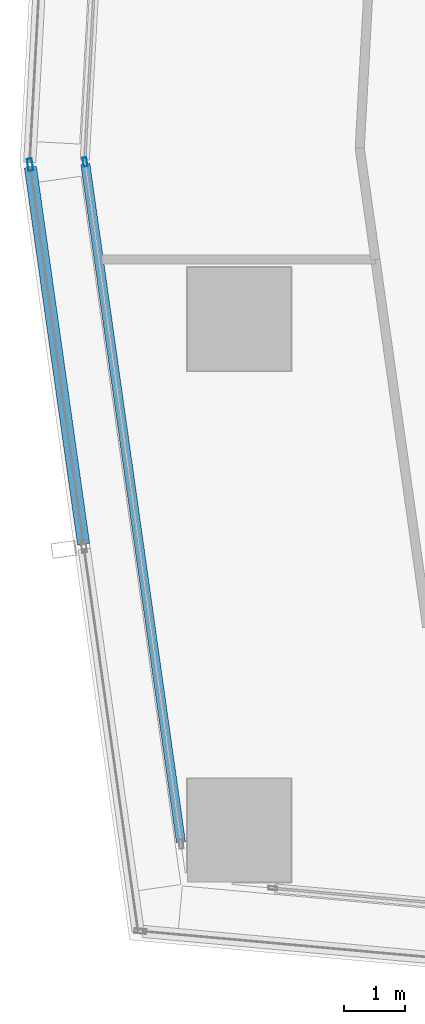
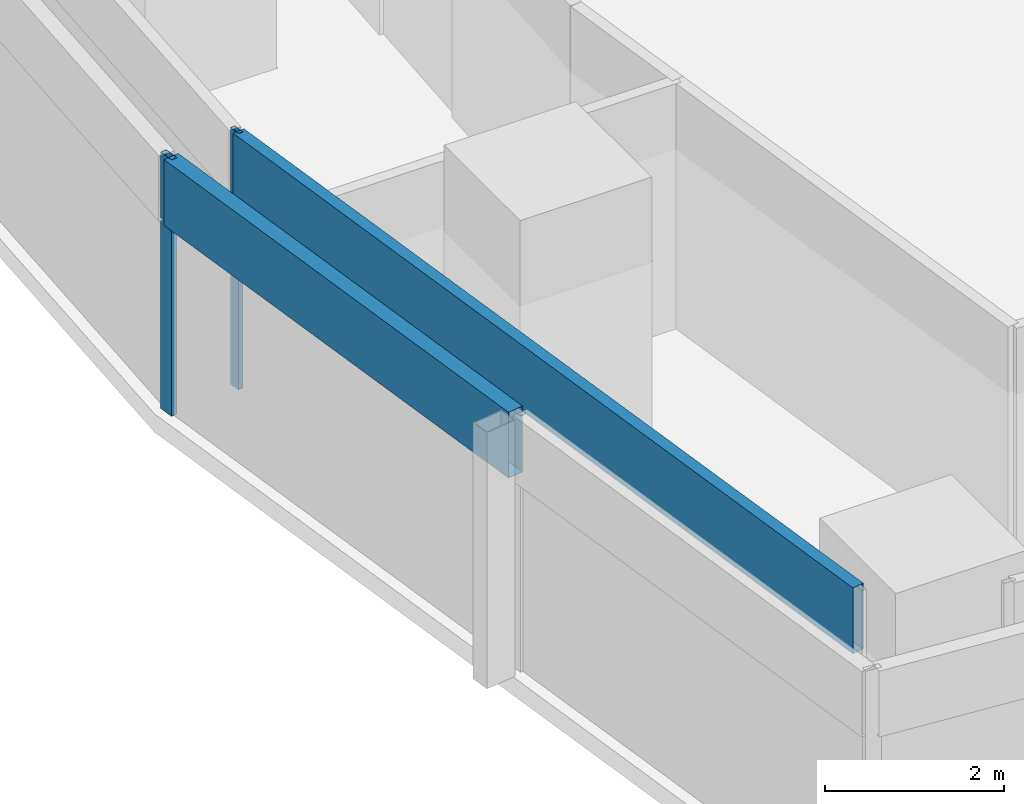
# One storey, part 4 of 40: 4 members, 2 elements without a shape of their own.
"""IFC4 building model written with IfcOpenShell, lengths in metres."""

from ifc_helpers import new_model, si_unit, direction, frame, origin, origin_2d, place, context, subcontext, project, spatial, hollow_rectangle, extrude, material, material_profile, profile_set, type_object, element, aggregate, save


model = new_model("IFC4")

# Units and contexts
model_context = context("Model", 3, precision=1e-05, world=origin(), true_north=direction((0.0, 1.0)))
body_context = subcontext(model_context, "Body", "Model", "MODEL_VIEW")
ifc_project = project(units=[si_unit("LENGTHUNIT", "METRE"), si_unit("AREAUNIT", "SQUARE_METRE"), si_unit("VOLUMEUNIT", "CUBIC_METRE"), si_unit("PLANEANGLEUNIT", "RADIAN"), si_unit("MASSUNIT", "GRAM", prefix="KILO")], contexts=[model_context])

# Site, building, storey
site_placement = place(None, origin())
site = spatial("IfcSite", under=ifc_project, at=site_placement, CompositionType="ELEMENT")
building_placement = place(site_placement, origin())
building = spatial("IfcBuilding", under=site, at=building_placement, Name="Rekha Terrace Tower", CompositionType="ELEMENT")
storey_placement = place(building_placement, frame((0.0, 0.0, 110.300048828125)))
storey = spatial("IfcBuildingStorey", under=building, at=storey_placement, Name="L27", CompositionType="ELEMENT", Elevation=110.300048828125)

# Curtain wall, members
ifc_material_1 = material(Name="Aluminium framing", Category="aluminium")
curtain_wall_type_1 = type_object("IfcCurtainWallType", Name="CW1 double skin inner glazing", PredefinedType="USERDEFINED", material=ifc_material_1)
curtain_wall_1_placement = place(storey_placement, origin())
curtain_wall_1 = element("IfcCurtainWall", 1, at=curtain_wall_1_placement, inside=storey, type_object=curtain_wall_type_1, Name="CW1 double skin inner glazing", ObjectType="DOUBLE SKIN INNER GLAZING", PredefinedType="USERDEFINED")
ifc_material_2 = material(Name="Aluminium mullion section", Category="aluminium")
ifc_material_profile_1 = material_profile(ifc_material_2, hollow_rectangle(XDim=0.06494140625, YDim=0.14990234375, WallThickness=0.00390625, at=origin_2d()), Name="AL RHS 65x150")
ifc_profile_set_1 = profile_set([ifc_material_profile_1], Name="Aluminium mullion section")
member_type_1 = type_object("IfcMemberType", Name="CW1 mullion RHS 65 x 150", PredefinedType="MULLION", material=ifc_profile_set_1)
member_1_placement = place(storey_placement, frame((5.86865234375, 27.78125, 0.0), z_axis=(0.0, 0.0, 1.0), x_axis=(0.990208394312, 0.139597048082, 0.0)))
member_1 = element("IfcMember", 2, at=member_1_placement, type_object=member_type_1, Name="CW1 mullion 1", PredefinedType="MULLION", context=body_context, shape_type="SweptSolid", body=[
    extrude(hollow_rectangle(XDim=0.06494140625, YDim=0.14990234375, WallThickness=0.00390625, at=origin_2d()), origin(), (0.0, 0.0, 1.0), 3.5),
])
ifc_material_3 = material(Name="Insulated aluminium spandrel box", Category="aluminium")
ifc_material_profile_2 = material_profile(ifc_material_3, hollow_rectangle(XDim=0.14990234375, YDim=0.89990234375, WallThickness=0.0029296875, at=origin_2d()), Name="AL SPANDREL BOX 150x900")
ifc_profile_set_2 = profile_set([ifc_material_profile_2], Name="Insulated aluminium spandrel box")
member_type_2 = type_object("IfcMemberType", Name="CW1 spandrel transom 150 x 900", PredefinedType="USERDEFINED", material=ifc_profile_set_2)
member_2_placement = place(storey_placement, frame((5.873046875, 27.7490234375, 3.050048828125), z_axis=(0.139607844155, -0.99020687225, 0.0), x_axis=(0.99020687225, 0.139607844155, 0.0)))
member_2 = element("IfcMember", 3, at=member_2_placement, type_object=member_type_2, Name="CW1 spandrel transom 1", ObjectType="TRANSOM", PredefinedType="USERDEFINED", context=body_context, shape_type="SweptSolid", body=[
    extrude(hollow_rectangle(XDim=0.14990234375, YDim=0.89990234375, WallThickness=0.0029296875, at=origin_2d()), origin(), (0.0, 0.0, 1.0), 11.253173828125),
])
aggregate(curtain_wall_1, [member_1, member_2])

curtain_wall_type_2 = type_object("IfcCurtainWallType", Name="CW2 double skin outer glazing", PredefinedType="USERDEFINED", material=ifc_material_1)
curtain_wall_2_placement = place(storey_placement, origin())
curtain_wall_2 = element("IfcCurtainWall", 4, at=curtain_wall_2_placement, inside=storey, type_object=curtain_wall_type_2, Name="CW2 double skin outer glazing", ObjectType="DOUBLE SKIN OUTER GLAZING", PredefinedType="USERDEFINED")
ifc_material_profile_3 = material_profile(ifc_material_2, hollow_rectangle(XDim=0.080078125, YDim=0.199951171875, WallThickness=0.00390625, at=origin_2d()), Name="AL RHS 80x200")
ifc_profile_set_3 = profile_set([ifc_material_profile_3], Name="Aluminium mullion section")
member_type_3 = type_object("IfcMemberType", Name="CW2 mullion RHS 80 x 200", PredefinedType="MULLION", material=ifc_profile_set_3)
member_3_placement = place(storey_placement, frame((4.96630859375, 27.7353515625, 0.0), z_axis=(0.0, 0.0, 1.0), x_axis=(0.990208394312, 0.139597048082, 0.0)))
member_3 = element("IfcMember", 5, at=member_3_placement, type_object=member_type_3, Name="CW2 mullion 1", PredefinedType="MULLION", context=body_context, shape_type="SweptSolid", body=[
    extrude(hollow_rectangle(XDim=0.080078125, YDim=0.199951171875, WallThickness=0.00390625, at=origin_2d()), origin(), (0.0, 0.0, 1.0), 3.5),
])
ifc_material_profile_4 = material_profile(ifc_material_3, hollow_rectangle(XDim=0.199951171875, YDim=0.89990234375, WallThickness=0.0029296875, at=origin_2d()), Name="AL SPANDREL BOX 200x900")
ifc_profile_set_4 = profile_set([ifc_material_profile_4], Name="Insulated aluminium spandrel box")
member_type_4 = type_object("IfcMemberType", Name="CW2 spandrel transom 200 x 900", PredefinedType="USERDEFINED", material=ifc_profile_set_4)
member_4_placement = place(storey_placement, frame((4.9716796875, 27.695556640625, 3.050048828125), z_axis=(0.139596256865, -0.990208505856, 0.0), x_axis=(0.990208505856, 0.139596256865, 0.0)))
member_4 = element("IfcMember", 6, at=member_4_placement, type_object=member_type_4, Name="CW2 spandrel transom 1", ObjectType="TRANSOM", PredefinedType="USERDEFINED", context=body_context, shape_type="SweptSolid", body=[
    extrude(hollow_rectangle(XDim=0.199951171875, YDim=0.89990234375, WallThickness=0.0029296875, at=origin_2d()), origin(), (0.0, 0.0, 1.0), 6.255859375),
])
aggregate(curtain_wall_2, [member_3, member_4])

save(model, "model.ifc")
